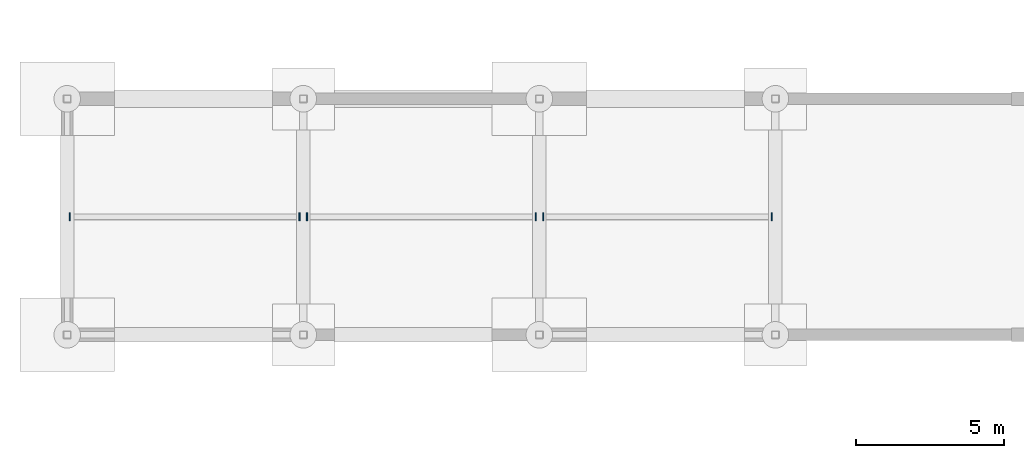
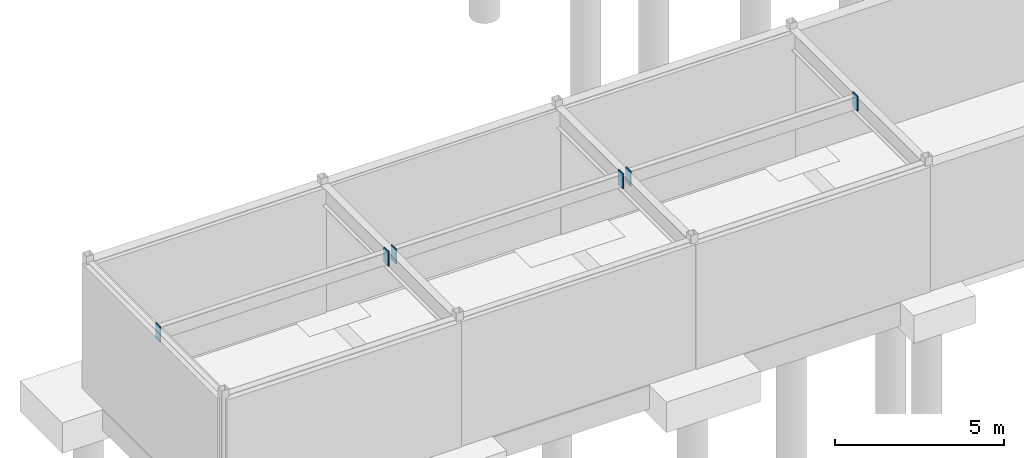
# One storey, part 65 of 105: 6 discrete accessories.
"""IFC4 building model written with IfcOpenShell, lengths in metres."""

from ifc_helpers import new_model, si_unit, direction, frame, origin, origin_2d, place, context, subcontext, project, spatial, rectangle, extrude, material, layer, layer_set, type_object, element, save


model = new_model("IFC4")

# Units and contexts
model_context = context("Model", 3, precision=1e-05, world=origin(), true_north=direction((0.0, 1.0)))
body_context = subcontext(model_context, "Body", "Model", "MODEL_VIEW")
ifc_project = project(units=[si_unit("LENGTHUNIT", "METRE"), si_unit("AREAUNIT", "SQUARE_METRE"), si_unit("VOLUMEUNIT", "CUBIC_METRE"), si_unit("PLANEANGLEUNIT", "RADIAN"), si_unit("MASSUNIT", "GRAM", prefix="KILO")], contexts=[model_context])

# Site, building, storey
site_placement = place(None, origin())
site = spatial("IfcSite", under=ifc_project, at=site_placement, CompositionType="ELEMENT")
building_placement = place(site_placement, origin())
building = spatial("IfcBuilding", under=site, at=building_placement, Name="Solmirada Galleria", CompositionType="ELEMENT")
storey_placement = place(building_placement, frame((0.0, 0.0, -4.800048828125)))
storey = spatial("IfcBuildingStorey", under=building, at=storey_placement, Name="B1", CompositionType="ELEMENT", Elevation=-4.800048828125)

# Discrete accessories
ifc_material = material(Name="Steel S355 / ASTM A572 Grade 50", Category="steel")
ifc_layer = layer(ifc_material, 0.031982421875)
ifc_layer_set = layer_set([ifc_layer], Name="Steel S355 / ASTM A572 Grade 50")
discrete_accessory_type = type_object("IfcDiscreteAccessoryType", Name="ACC-COL-CAP", PredefinedType="BRACKET", material=ifc_layer_set)
for number, where, z_axis, x_axis, name in (
    (1, (8.089111328125, 60.0, 4.08154296875), (0.0, 0.0, 1.0), (1.0, 0.0, 0.0), "Hollow joist end plate L00-02-08-L"),
    (2, (15.873046875, 60.0, 4.08154296875), (0.0, 0.0, 1.0), (1.0, 0.0, 0.0), "Hollow joist end plate L00-02-08-R"),
    (3, (16.126953125, 60.0, 4.08154296875), (0.0, 0.0, 1.0), (1.0, 0.0, 0.0), "Hollow joist end plate L00-03-08-L"),
    (4, (23.8720703125, 60.0, 4.08154296875), (0.0, 0.0, 1.0), (1.0, 0.0, 0.0), "Hollow joist end plate L00-03-08-R"),
    (5, (24.1279296875, 60.0, 4.08154296875), (0.0, 0.0, 1.0), (1.0, 0.0, 0.0), "Hollow joist end plate L00-04-08-L"),
    (6, (31.873046875, 60.0, 4.08154296875), (0.0, 0.0, 1.0), (1.0, 0.0, 0.0), "Hollow joist end plate L00-04-08-R"),
):
    element("IfcDiscreteAccessory", number, at=place(storey_placement, frame(where, z_axis=z_axis, x_axis=x_axis)), inside=storey, type_object=discrete_accessory_type, Name=name, PredefinedType="BRACKET", context=body_context, shape_type="SweptSolid", body=[
        extrude(rectangle(XDim=0.035888671875, YDim=0.280029296875, at=origin_2d()), origin(), (0.0, 0.0, 1.0), 0.5400390625),
    ])

save(model, "model.ifc")
